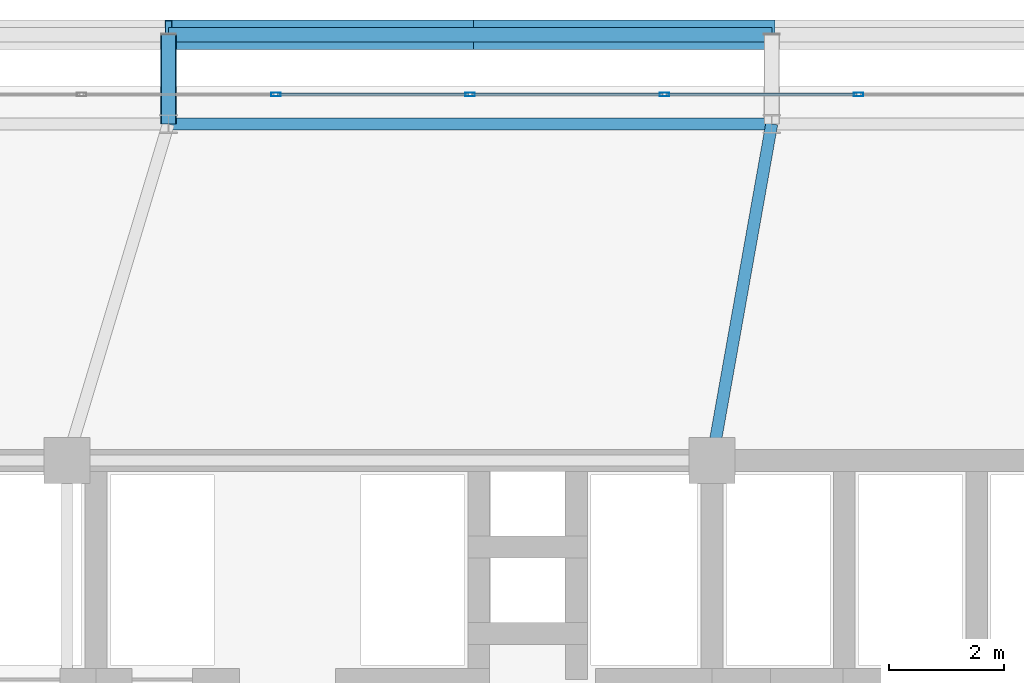
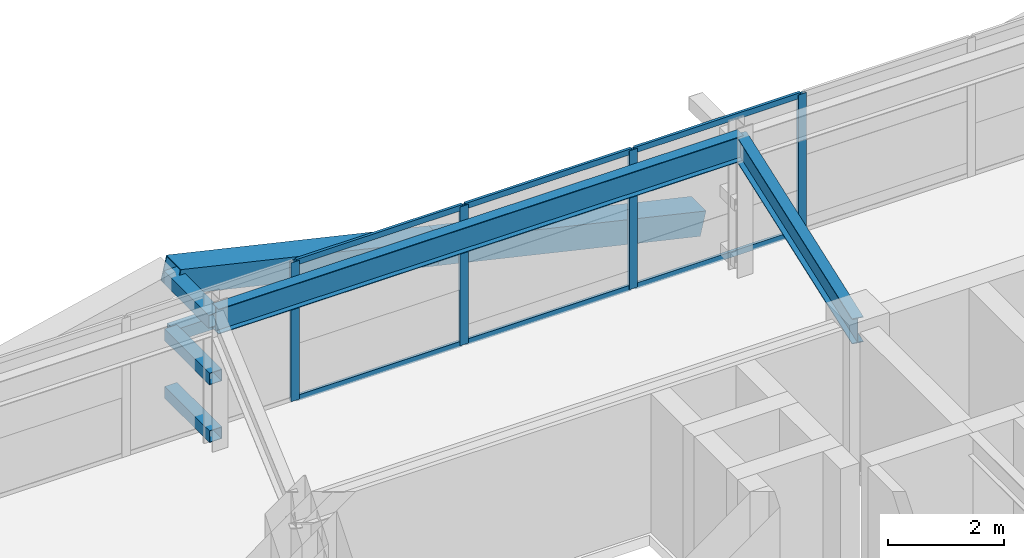
# One storey, part 37 of 58: 16 members, 2 beams, 1 element without a shape of its own.
"""IFC4 building model written with IfcOpenShell, lengths in metres."""

from ifc_helpers import new_model, si_unit, direction, frame, origin, origin_2d, place, context, subcontext, project, spatial, hollow_rectangle, i_section, extrude, source, transform, mapped, material, layer, layer_set, material_profile, profile_set, type_object, element, aggregate, save


model = new_model("IFC4")

# Units and contexts
model_context = context("Model", 3, precision=1e-05, world=origin(), true_north=direction((0.0, 1.0)))
body_context = subcontext(model_context, "Body", "Model", "MODEL_VIEW")
ifc_project = project(units=[si_unit("LENGTHUNIT", "METRE"), si_unit("AREAUNIT", "SQUARE_METRE"), si_unit("VOLUMEUNIT", "CUBIC_METRE"), si_unit("PLANEANGLEUNIT", "RADIAN"), si_unit("MASSUNIT", "GRAM", prefix="KILO")], contexts=[model_context])

# Site, building, storey
site_placement = place(None, origin())
site = spatial("IfcSite", under=ifc_project, at=site_placement, CompositionType="ELEMENT")
building_placement = place(site_placement, origin())
building = spatial("IfcBuilding", under=site, at=building_placement, Name="Taldren Reach Tower", CompositionType="ELEMENT")
storey_placement = place(building_placement, frame((0.0, 0.0, 32.550048828125)))
storey = spatial("IfcBuildingStorey", under=building, at=storey_placement, Name="L09", CompositionType="ELEMENT", Elevation=32.550048828125)

# Beams
ifc_material_1 = material(Name="Steel Gr 350 (350PLUS)", Category="steel")
ifc_material_profile_1 = material_profile(ifc_material_1, i_section(OverallWidth=0.208984375, OverallDepth=0.528076171875, WebThickness=0.009521484375, FlangeThickness=0.01318359375, at=origin_2d()), Name="530UB82.0")
ifc_profile_set_1 = profile_set([ifc_material_profile_1], Name="Steel Gr 350 (350PLUS)")
beam_type_1 = type_object("IfcBeamType", Name="SP-UB530B", PredefinedType="SPANDREL", material=ifc_profile_set_1)
shared_shape_1 = source(origin(), body_context, "Body", "SweptSolid", [
    extrude(i_section(OverallWidth=0.208984375, OverallDepth=0.528076171875, WebThickness=0.009521484375, FlangeThickness=0.01318359375, at=origin_2d()), origin(), (0.0, 0.0, 1.0), 10.47998046875),
])
beam_1_placement = place(storey_placement, frame((40.239990234375, 37.85009765625, 2.666015625), z_axis=(-1.0, 0.0, 0.0), x_axis=(0.0, -1.0, 0.0)))
element("IfcBeam", 1, at=beam_1_placement, inside=storey, type_object=beam_type_1, Name="Perimeter spandrel B1 N4-N3 L09", PredefinedType="SPANDREL", context=body_context, shape_type="MappedRepresentation", body=[
    mapped(shared_shape_1, transform((0.0, 0.0, 0.0), scale=1.0)),
])
ifc_material_profile_2 = material_profile(ifc_material_1, i_section(OverallWidth=0.208984375, OverallDepth=0.532958984375, WebThickness=0.01025390625, FlangeThickness=0.015625, at=origin_2d()), Name="530UB92.4")
ifc_profile_set_2 = profile_set([ifc_material_profile_2], Name="Steel Gr 350 (350PLUS)")
beam_type_2 = type_object("IfcBeamType", Name="BM-UB530A", PredefinedType="BEAM", material=ifc_profile_set_2)
shared_shape_2 = source(origin(), body_context, "Body", "SweptSolid", [
    extrude(i_section(OverallWidth=0.208984375, OverallDepth=0.532958984375, WebThickness=0.01025390625, FlangeThickness=0.015625, at=origin_2d()), origin(), (0.0, 0.0, 1.0), 5.94189453125),
])
beam_2_placement = place(storey_placement, frame((39.199951171875, 32.0, 2.663330078125), z_axis=(0.17503687513, 0.984561878373, 0.0), x_axis=(-0.984561878373, 0.17503687513, 0.0)))
element("IfcBeam", 2, at=beam_2_placement, inside=storey, type_object=beam_type_2, Name="Primary floor girder B1-N4 L09", PredefinedType="BEAM", context=body_context, shape_type="MappedRepresentation", body=[
    mapped(shared_shape_2, transform((0.0, 0.0, 0.0), scale=1.0)),
])

# Members
ifc_material_2 = material(Name="Steel Gr 450 (C450L0)", Category="steel")
ifc_material_profile_3 = material_profile(ifc_material_2, hollow_rectangle(XDim=0.27490234375, YDim=0.27490234375, WallThickness=0.00927734375, at=origin_2d()), Name="275x275x9.3SHS")
ifc_profile_set_3 = profile_set([ifc_material_profile_3], Name="Steel Gr 450 (C450L0)")
member_type_1 = type_object("IfcMemberType", Name="MB-TIE273", PredefinedType="STRUT", material=ifc_profile_set_3)
shared_shape_3 = source(origin(), body_context, "Body", "SweptSolid", [
    extrude(hollow_rectangle(XDim=0.27490234375, YDim=0.27490234375, WallThickness=0.00927734375, at=origin_2d()), origin(), (0.0, 0.0, 1.0), 1.5498046875),
])
member_1_placement = place(storey_placement, frame((29.760009765625, 37.85009765625, 2.64990234375), z_axis=(0.0, 1.0, 0.0), x_axis=(-1.0, 0.0, 0.0)))
element("IfcMember", 3, at=member_1_placement, inside=storey, type_object=member_type_1, Name="Exoskeleton diaphragm tie strut B1-N3 L09", PredefinedType="STRUT", context=body_context, shape_type="MappedRepresentation", body=[
    mapped(shared_shape_3, transform((0.0, 0.0, 0.0), scale=1.0)),
])
ifc_material_profile_4 = material_profile(ifc_material_2, hollow_rectangle(XDim=0.510009765625, YDim=0.510009765625, WallThickness=0.02001953125, at=origin_2d()), Name="510x510x20.0SHS")
ifc_profile_set_4 = profile_set([ifc_material_profile_4], Name="Steel Gr 450 (C450L0)")
member_type_2 = type_object("IfcMemberType", Name="MB-EXO508", PredefinedType="BRACE", material=ifc_profile_set_4)
shared_shape_4 = source(origin(), body_context, "Body", "SweptSolid", [
    extrude(hollow_rectangle(XDim=0.510009765625, YDim=0.510009765625, WallThickness=0.02001953125, at=origin_2d()), origin(), (0.0, 0.0, 1.0), 5.37890625),
])
for number, where, z_axis, x_axis, name in (
    (4, (40.239990234375, 39.39990234375, 0.219970703125), (-0.97415197996, 0.0, 0.225893603143), (0.0, -1.0, 0.0), "Exoskeleton Diagrid Brace B1-N3 L09"),
    (5, (35.0, 39.39990234375, 1.43505859375), (-0.974161966843, 0.0, 0.225850531007), (0.0, -1.0, 0.0), "Exoskeleton Diagrid Brace B1-N3 L09"),
):
    element("IfcMember", number, at=place(storey_placement, frame(where, z_axis=z_axis, x_axis=x_axis)), inside=storey, type_object=member_type_2, Name=name, PredefinedType="BRACE", context=body_context, shape_type="MappedRepresentation", body=[
        mapped(shared_shape_4, transform((0.0, 0.0, 0.0), scale=1.0)),
    ])
ifc_material_3 = material(Name="Steel Gr 350 (C350L0)", Category="steel")
ifc_material_profile_5 = material_profile(ifc_material_3, hollow_rectangle(XDim=0.25, YDim=0.25, WallThickness=0.010009765625, at=origin_2d()), Name="250x250x10.0SHS")
ifc_profile_set_5 = profile_set([ifc_material_profile_5], Name="Steel Gr 350 (C350L0)")
member_type_3 = type_object("IfcMemberType", Name="MB-POST250", PredefinedType="POST", material=ifc_profile_set_5)
shared_shape_5 = source(origin(), body_context, "Body", "SweptSolid", [
    extrude(hollow_rectangle(XDim=0.25, YDim=0.25, WallThickness=0.010009765625, at=origin_2d()), origin(), (0.0, 0.0, 1.0), 10.47998046875),
])
member_2_placement = place(storey_placement, frame((29.760009765625, 39.39990234375, 1.43505859375), z_axis=(1.0, 0.0, 0.0), x_axis=(0.0, 1.0, 0.0)))
element("IfcMember", 6, at=member_2_placement, inside=storey, type_object=member_type_3, Name="Exoskeleton mid-height ring chord B1-N3 L09", PredefinedType="POST", context=body_context, shape_type="MappedRepresentation", body=[
    mapped(shared_shape_5, transform((0.0, 0.0, 0.0), scale=1.0)),
])
shared_shape_6 = source(origin(), body_context, "Body", "SweptSolid", [
    extrude(hollow_rectangle(XDim=0.25, YDim=0.25, WallThickness=0.010009765625, at=origin_2d()), origin(), (0.0, 0.0, 1.0), 1.5498046875),
])
for number, where, z_axis, x_axis, name in (
    (7, (29.760009765625, 37.85009765625, 0.219970703125), (0.0, 1.0, 0.0), (-1.0, 0.0, 0.0), "Exoskeleton base diaphragm tie strut B1-N3 L09"),
    (8, (29.760009765625, 37.85009765625, 1.43505859375), (0.0, 1.0, 0.0), (-1.0, 0.0, 0.0), "Exoskeleton mid-tier diaphragm tie B1-N3 L09"),
):
    element("IfcMember", number, at=place(storey_placement, frame(where, z_axis=z_axis, x_axis=x_axis)), inside=storey, type_object=member_type_3, Name=name, PredefinedType="POST", context=body_context, shape_type="MappedRepresentation", body=[
        mapped(shared_shape_6, transform((0.0, 0.0, 0.0), scale=1.0)),
    ])

# Curtain wall, members
ifc_material_4 = material(Name="Aluminium and Low-E Glass Unitised System", Category="aluminium")
ifc_layer = layer(ifc_material_4, 0.159912109375)
ifc_layer_set = layer_set([ifc_layer], Name="Aluminium and Low-E Glass Unitised System")
curtain_wall_type = type_object("IfcCurtainWallType", Name="CW-SYS-2", PredefinedType="NOTDEFINED", material=ifc_layer_set)
curtain_wall_placement = place(storey_placement, origin())
curtain_wall = element("IfcCurtainWall", 9, at=curtain_wall_placement, inside=storey, type_object=curtain_wall_type, Name="Unitised curtain wall CW-L09-N", PredefinedType="NOTDEFINED")
ifc_material_5 = material(Name="Anodised Aluminium 6063-T6", Category="aluminium")
ifc_material_profile_6 = material_profile(ifc_material_5, hollow_rectangle(XDim=0.06494140625, YDim=0.1650390625, WallThickness=0.00390625, at=origin_2d()), Name="ALU-165x65x4RHS")
ifc_profile_set_6 = profile_set([ifc_material_profile_6], Name="Anodised Aluminium 6063-T6")
member_type_4 = type_object("IfcMemberType", Name="CW-MUL-165", PredefinedType="MULLION", material=ifc_profile_set_6)
shared_shape_7 = source(origin(), body_context, "Body", "SweptSolid", [
    extrude(hollow_rectangle(XDim=0.06494140625, YDim=0.1650390625, WallThickness=0.00390625, at=origin_2d()), origin(), (0.0, 0.0, 1.0), 2.929931640625),
])
member_3_placement = place(storey_placement, frame((41.75, 38.360107421875, 0.0), z_axis=(0.0, 0.0, 1.0), x_axis=(0.0, -1.0, 0.0)))
member_3 = element("IfcMember", 10, at=member_3_placement, type_object=member_type_4, Name="CW-2 mullion 7", PredefinedType="MULLION", context=body_context, shape_type="MappedRepresentation", body=[
    mapped(shared_shape_7, transform((0.0, 0.0, 0.0), scale=1.0)),
])
member_4_placement = place(storey_placement, frame((38.375, 38.360107421875, 0.0), z_axis=(0.0, 0.0, 1.0), x_axis=(0.0, -1.0, 0.0)))
member_4 = element("IfcMember", 11, at=member_4_placement, type_object=member_type_4, Name="CW-2 mullion 8", PredefinedType="MULLION", context=body_context, shape_type="MappedRepresentation", body=[
    mapped(shared_shape_7, transform((0.0, 0.0, 0.0), scale=1.0)),
])
member_5_placement = place(storey_placement, frame((35.0, 38.360107421875, 0.0), z_axis=(0.0, 0.0, 1.0), x_axis=(0.0, -1.0, 0.0)))
member_5 = element("IfcMember", 12, at=member_5_placement, type_object=member_type_4, Name="CW-2 mullion 9", PredefinedType="MULLION", context=body_context, shape_type="MappedRepresentation", body=[
    mapped(shared_shape_7, transform((0.0, 0.0, 0.0), scale=1.0)),
])
member_6_placement = place(storey_placement, frame((31.625, 38.360107421875, 0.0), z_axis=(0.0, 0.0, 1.0), x_axis=(0.0, -1.0, 0.0)))
member_6 = element("IfcMember", 13, at=member_6_placement, type_object=member_type_4, Name="CW-2 mullion 10", PredefinedType="MULLION", context=body_context, shape_type="MappedRepresentation", body=[
    mapped(shared_shape_7, transform((0.0, 0.0, 0.0), scale=1.0)),
])
ifc_material_profile_7 = material_profile(ifc_material_5, hollow_rectangle(XDim=0.054931640625, YDim=0.1201171875, WallThickness=0.0029296875, at=origin_2d()), Name="ALU-120x55x3RHS")
ifc_profile_set_7 = profile_set([ifc_material_profile_7], Name="Anodised Aluminium 6063-T6")
member_type_5 = type_object("IfcMemberType", Name="CW-TRN-135", PredefinedType="USERDEFINED", material=ifc_profile_set_7)
shared_shape_8 = source(origin(), body_context, "Body", "SweptSolid", [
    extrude(hollow_rectangle(XDim=0.054931640625, YDim=0.1201171875, WallThickness=0.0029296875, at=origin_2d()), origin(), (0.0, 0.0, 1.0), 3.31005859375),
])
member_7_placement = place(storey_placement, frame((41.717529296875, 38.360107421875, 0.02734375), z_axis=(-1.0, 0.0, 0.0), x_axis=(0.0, -1.0, 0.0)))
member_7 = element("IfcMember", 14, at=member_7_placement, type_object=member_type_5, Name="CW-2 transom 7.1", ObjectType="TRANSOM", PredefinedType="USERDEFINED", context=body_context, shape_type="MappedRepresentation", body=[
    mapped(shared_shape_8, transform((0.0, 0.0, 0.0), scale=1.0)),
])
member_8_placement = place(storey_placement, frame((41.717529296875, 38.360107421875, 2.90234375), z_axis=(-1.0, 0.0, 0.0), x_axis=(0.0, -1.0, 0.0)))
member_8 = element("IfcMember", 15, at=member_8_placement, type_object=member_type_5, Name="CW-2 transom 7.2", ObjectType="TRANSOM", PredefinedType="USERDEFINED", context=body_context, shape_type="MappedRepresentation", body=[
    mapped(shared_shape_8, transform((0.0, 0.0, 0.0), scale=1.0)),
])
member_9_placement = place(storey_placement, frame((38.342529296875, 38.360107421875, 0.02734375), z_axis=(-1.0, 0.0, 0.0), x_axis=(0.0, -1.0, 0.0)))
member_9 = element("IfcMember", 16, at=member_9_placement, type_object=member_type_5, Name="CW-2 transom 8.1", ObjectType="TRANSOM", PredefinedType="USERDEFINED", context=body_context, shape_type="MappedRepresentation", body=[
    mapped(shared_shape_8, transform((0.0, 0.0, 0.0), scale=1.0)),
])
member_10_placement = place(storey_placement, frame((38.342529296875, 38.360107421875, 2.90234375), z_axis=(-1.0, 0.0, 0.0), x_axis=(0.0, -1.0, 0.0)))
member_10 = element("IfcMember", 17, at=member_10_placement, type_object=member_type_5, Name="CW-2 transom 8.2", ObjectType="TRANSOM", PredefinedType="USERDEFINED", context=body_context, shape_type="MappedRepresentation", body=[
    mapped(shared_shape_8, transform((0.0, 0.0, 0.0), scale=1.0)),
])
member_11_placement = place(storey_placement, frame((34.967529296875, 38.360107421875, 0.02734375), z_axis=(-1.0, 0.0, 0.0), x_axis=(0.0, -1.0, 0.0)))
member_11 = element("IfcMember", 18, at=member_11_placement, type_object=member_type_5, Name="CW-2 transom 9.1", ObjectType="TRANSOM", PredefinedType="USERDEFINED", context=body_context, shape_type="MappedRepresentation", body=[
    mapped(shared_shape_8, transform((0.0, 0.0, 0.0), scale=1.0)),
])
member_12_placement = place(storey_placement, frame((34.967529296875, 38.360107421875, 2.90234375), z_axis=(-1.0, 0.0, 0.0), x_axis=(0.0, -1.0, 0.0)))
member_12 = element("IfcMember", 19, at=member_12_placement, type_object=member_type_5, Name="CW-2 transom 9.2", ObjectType="TRANSOM", PredefinedType="USERDEFINED", context=body_context, shape_type="MappedRepresentation", body=[
    mapped(shared_shape_8, transform((0.0, 0.0, 0.0), scale=1.0)),
])
aggregate(curtain_wall, [member_3, member_4, member_5, member_6, member_7, member_8, member_9, member_10, member_11, member_12])

save(model, "model.ifc")
